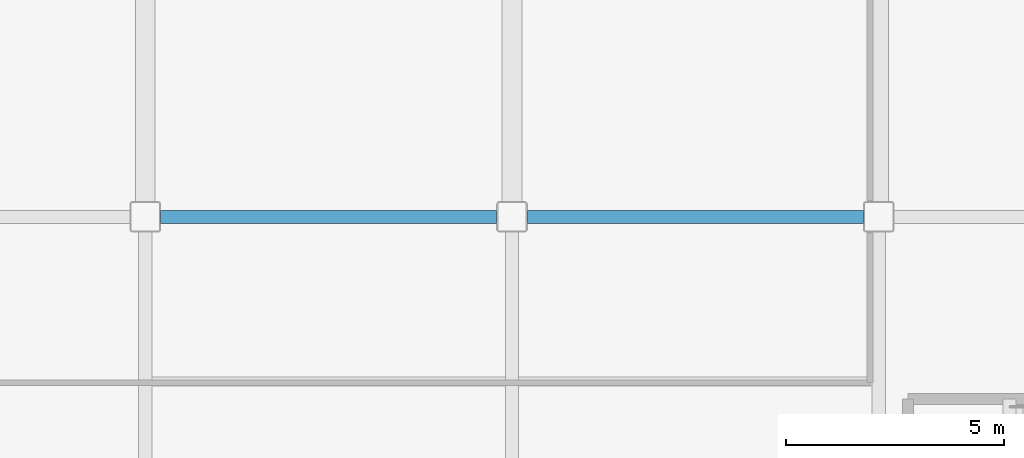
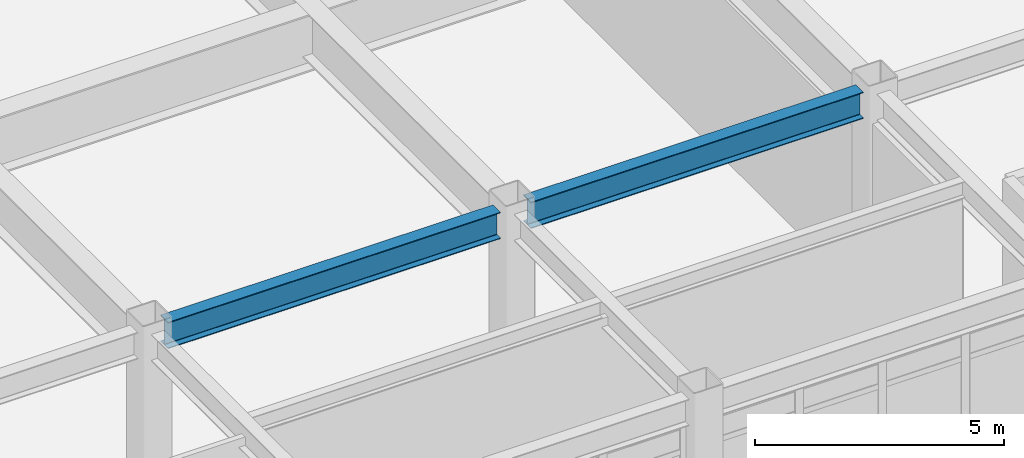
# One storey, part 13 of 165: 2 beams.
"""IFC4 building model written with IfcOpenShell, lengths in metres."""

from ifc_helpers import new_model, si_unit, direction, frame, origin, origin_2d, place, context, subcontext, project, spatial, i_section, extrude, material, material_profile, profile_set, type_object, element, save


model = new_model("IFC4")

# Units and contexts
model_context = context("Model", 3, precision=1e-05, world=origin(), true_north=direction((0.0, 1.0)))
body_context = subcontext(model_context, "Body", "Model", "MODEL_VIEW")
ifc_project = project(units=[si_unit("LENGTHUNIT", "METRE"), si_unit("AREAUNIT", "SQUARE_METRE"), si_unit("VOLUMEUNIT", "CUBIC_METRE"), si_unit("PLANEANGLEUNIT", "RADIAN"), si_unit("MASSUNIT", "GRAM", prefix="KILO")], contexts=[model_context])

# Site, building, storey
site_placement = place(None, origin())
site = spatial("IfcSite", under=ifc_project, at=site_placement, CompositionType="ELEMENT")
building_placement = place(site_placement, origin())
building = spatial("IfcBuilding", under=site, at=building_placement, Name="Kazehara Bluff Congress Hotel", CompositionType="ELEMENT")
storey_placement = place(building_placement, origin())
storey = spatial("IfcBuildingStorey", under=building, at=storey_placement, Name="L00", CompositionType="ELEMENT", Elevation=0.0)

# Beams
ifc_material = material(Name="Steel SN490B", Category="steel")
ifc_material_profile = material_profile(ifc_material, i_section(OverallWidth=0.300048828125, OverallDepth=0.64990234375, WebThickness=0.011962890625, FlangeThickness=0.02001953125, FilletRadius=0.012939453125, at=origin_2d()))
ifc_profile_set = profile_set([ifc_material_profile], Name="Steel SN490B")
beam_type = type_object("IfcBeamType", Name="TP-G-03", PredefinedType="BEAM", material=ifc_profile_set)
for number, where, z_axis, x_axis, name in (
    (1, (25.550048828125, 8.0, 4.824951171875), (1.0, 0.0, 0.0), (0.0, 1.0, 0.0), "L00 girder G-03 76"),
    (2, (33.949951171875, 8.0, 4.824951171875), (1.0, 0.0, 0.0), (0.0, 1.0, 0.0), "L00 girder G-03 77"),
):
    element("IfcBeam", number, at=place(storey_placement, frame(where, z_axis=z_axis, x_axis=x_axis)), inside=storey, type_object=beam_type, Name=name, PredefinedType="BEAM", context=body_context, shape_type="SweptSolid", body=[
        extrude(i_section(OverallWidth=0.300048828125, OverallDepth=0.64990234375, WebThickness=0.011962890625, FlangeThickness=0.02001953125, FilletRadius=0.012939453125, at=origin_2d()), origin(), (0.0, 0.0, 1.0), 7.699951171875),
    ])

save(model, "model.ifc")
